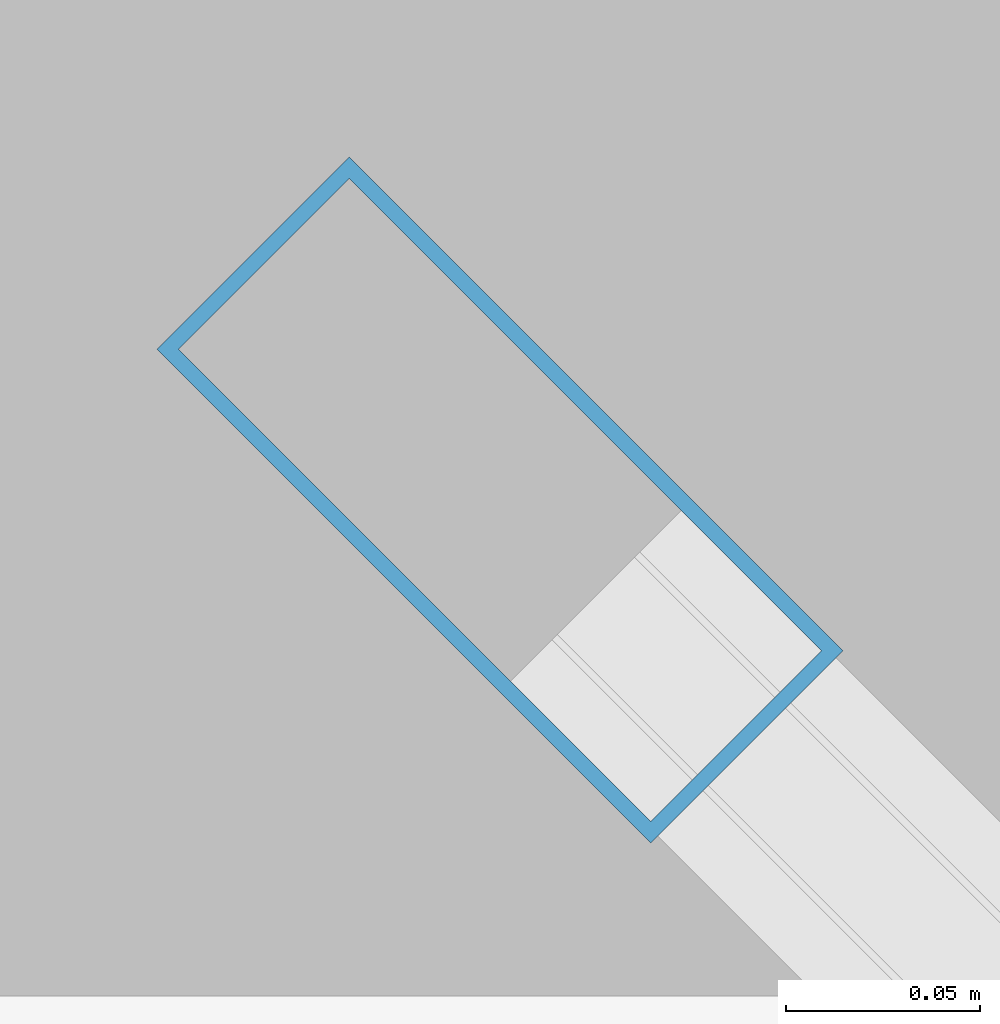
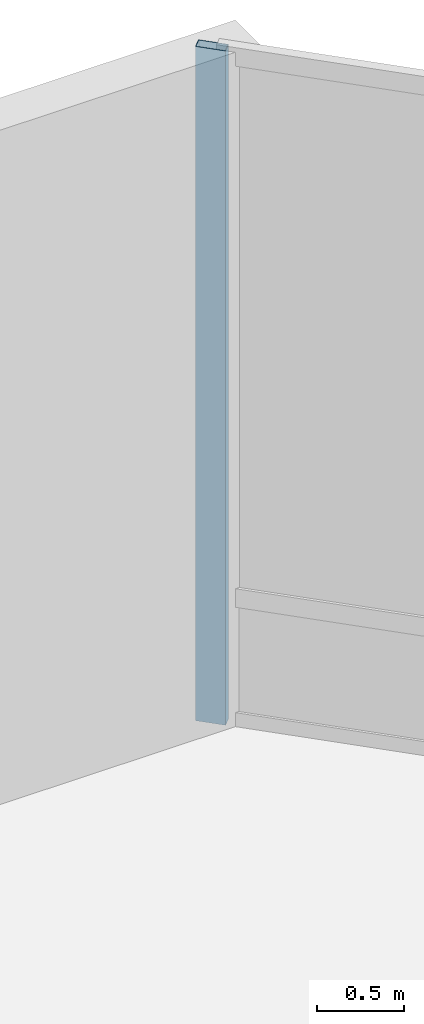
# One storey, part 10 of 23: 1 member, 1 element without a shape of its own.
"""IFC4 building model written with IfcOpenShell, lengths in metres."""

from ifc_helpers import new_model, si_unit, direction, frame, origin, origin_2d, place, context, subcontext, project, spatial, hollow_rectangle, extrude, material, layer, layer_set, material_profile, profile_set, type_object, element, aggregate, save


model = new_model("IFC4")

# Units and contexts
model_context = context("Model", 3, precision=1e-05, world=origin(), true_north=direction((0.0, 1.0)))
body_context = subcontext(model_context, "Body", "Model", "MODEL_VIEW")
ifc_project = project(units=[si_unit("LENGTHUNIT", "METRE"), si_unit("AREAUNIT", "SQUARE_METRE"), si_unit("VOLUMEUNIT", "CUBIC_METRE"), si_unit("PLANEANGLEUNIT", "RADIAN"), si_unit("MASSUNIT", "GRAM", prefix="KILO")], contexts=[model_context])

# Site, building, storey
site_placement = place(None, origin())
site = spatial("IfcSite", under=ifc_project, at=site_placement, CompositionType="ELEMENT")
building_placement = place(site_placement, origin())
building = spatial("IfcBuilding", under=site, at=building_placement, Name="Caelvoria Tower", CompositionType="ELEMENT")
storey_placement = place(building_placement, origin())
storey = spatial("IfcBuildingStorey", under=building, at=storey_placement, Name="L00", CompositionType="ELEMENT", Elevation=0.0)

# Curtain wall, member
ifc_material_1 = material(Name="Anodised Bronze Aluminium and Low-E Glass", Category="aluminium")
ifc_layer = layer(ifc_material_1, 0.199951171875, Name="Anodised Bronze Aluminium and Low-E Glass")
ifc_layer_set = layer_set([ifc_layer], Name="CW System 1 Podium Arcade Unitised Glazing - Anodised Bronze Aluminium and Low-E Glass")
curtain_wall_type = type_object("IfcCurtainWallType", Name="CW System 1 Podium Arcade Unitised Glazing", PredefinedType="NOTDEFINED", material=ifc_layer_set)
curtain_wall_placement = place(storey_placement, origin())
curtain_wall = element("IfcCurtainWall", 1, at=curtain_wall_placement, inside=storey, type_object=curtain_wall_type, Name="CW-01 Curtain Wall L00-E3", PredefinedType="NOTDEFINED")
ifc_material_2 = material(Name="Anodised Bronze Architectural Aluminium", Category="aluminium")
ifc_material_profile = material_profile(ifc_material_2, hollow_rectangle(XDim=0.070068359375, YDim=0.179931640625, WallThickness=0.00390625, at=origin_2d()), Name="Anodised Bronze Architectural Aluminium")
ifc_profile_set = profile_set([ifc_material_profile], Name="CW_MULL_70X180 - Anodised Bronze Architectural Aluminium")
member_type = type_object("IfcMemberType", Name="Curtain Wall Mullion 70x180 Bronze Aluminium", PredefinedType="MULLION", material=ifc_profile_set)
member_placement = place(storey_placement, frame((85.3974609375, 61.847900390625, 0.0), z_axis=(0.0, 0.0, 1.0), x_axis=(-0.707106781187, -0.707106781187, 0.0)))
member = element("IfcMember", 2, at=member_placement, type_object=member_type, Name="CW-01 mullion 3", PredefinedType="MULLION", context=body_context, shape_type="SweptSolid", body=[
    extrude(hollow_rectangle(XDim=0.070068359375, YDim=0.179931640625, WallThickness=0.00390625, at=origin_2d()), origin(), (0.0, 0.0, 1.0), 4.719970703125),
])
aggregate(curtain_wall, [member])

save(model, "model.ifc")
